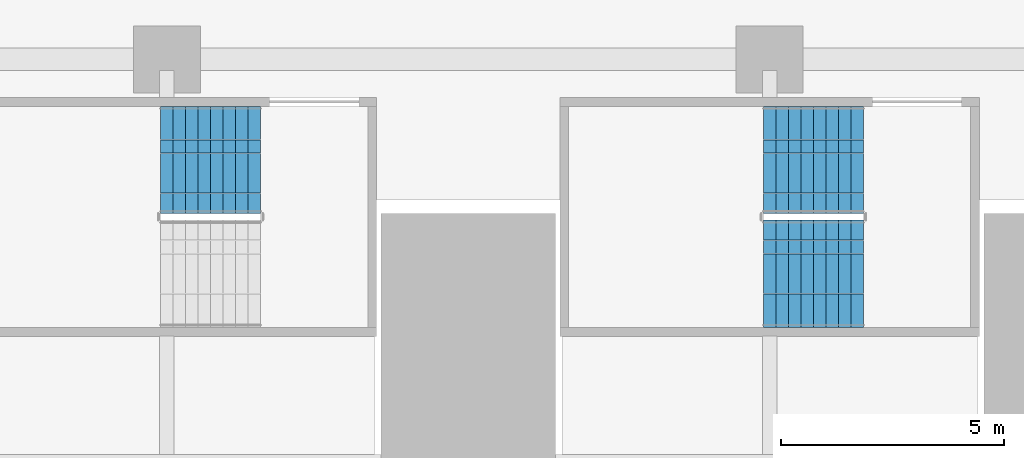
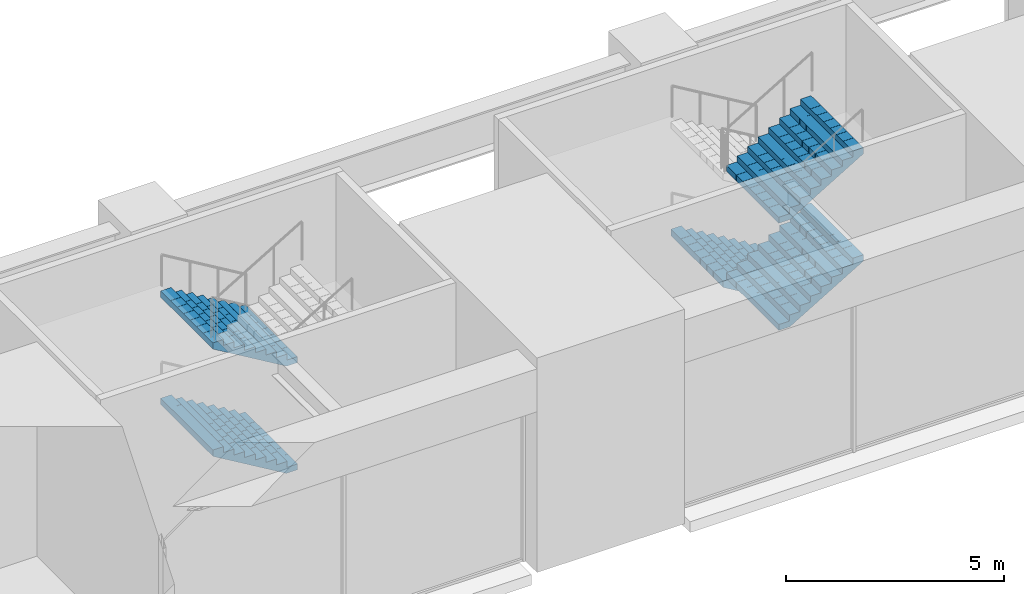
# One storey, part 21 of 41: 5 stair flights, 2 elements without a shape of their own.
"""IFC4 building model written with IfcOpenShell, lengths in metres."""

from ifc_helpers import new_model, si_unit, direction, frame, origin, place, context, subcontext, project, spatial, polyline, outline, extrude, material, type_object, element, aggregate, save


model = new_model("IFC4")

# Units and contexts
model_context = context("Model", 3, precision=1e-05, world=origin(), true_north=direction((0.0, 1.0)))
body_context = subcontext(model_context, "Body", "Model", "MODEL_VIEW")
ifc_project = project(units=[si_unit("LENGTHUNIT", "METRE"), si_unit("AREAUNIT", "SQUARE_METRE"), si_unit("VOLUMEUNIT", "CUBIC_METRE"), si_unit("PLANEANGLEUNIT", "RADIAN"), si_unit("MASSUNIT", "GRAM", prefix="KILO")], contexts=[model_context])

# Site, building, storey
site_placement = place(None, origin())
site = spatial("IfcSite", under=ifc_project, at=site_placement, CompositionType="ELEMENT")
building_placement = place(site_placement, origin())
building = spatial("IfcBuilding", under=site, at=building_placement, Name="Corbelhall Arena Tower", CompositionType="ELEMENT")
storey_placement = place(building_placement, frame((0.0, 0.0, 19.0)))
storey = spatial("IfcBuildingStorey", under=building, at=storey_placement, Name="L02", CompositionType="ELEMENT", Elevation=19.0)

# Stair, stair flights
ifc_material = material(Name="Reinforced concrete C40/50", Category="concrete")
stair_type = type_object("IfcStairType", Name="AR-EXIT-STAIR", PredefinedType="HALF_TURN_STAIR", material=ifc_material)
stair_1_placement = place(storey_placement, origin())
stair_1 = element("IfcStair", 1, at=stair_1_placement, inside=storey, type_object=stair_type, Name="L02 exit stair AS13", PredefinedType="HALF_TURN_STAIR")
stair_flight_type = type_object("IfcStairFlightType", Name="AR-EXIT-FLIGHT", PredefinedType="STRAIGHT", material=ifc_material)
stair_flight_1_placement = place(storey_placement, frame((-18.14990234375, -31.5, 0.0), z_axis=(0.0, 0.0, 1.0), x_axis=(-1.0, 0.0, 0.0)))
stair_flight_1 = element("IfcStairFlight", 2, at=stair_flight_1_placement, type_object=stair_flight_type, Name="AS13 flight 1", NumberOfRisers=9, NumberOfTreads=8, PredefinedType="STRAIGHT", RiserHeight=0.166666667, TreadLength=0.28, context=body_context, shape_type="SweptSolid", body=[
    extrude(outline(polyline([(0.0, 0.0), (0.0, 0.166748046875), (0.280029296875, 0.166748046875), (0.280029296875, 0.333251953125), (0.56005859375, 0.333251953125), (0.56005859375, 0.5), (0.840087890625, 0.5), (0.840087890625, 0.666748046875), (1.1201171875, 0.666748046875), (1.1201171875, 0.833251953125), (1.39990234375, 0.833251953125), (1.39990234375, 1.0), (1.679931640625, 1.0), (1.679931640625, 1.166748046875), (1.9599609375, 1.166748046875), (1.9599609375, 1.333251953125), (2.239990234375, 1.333251953125), (2.239990234375, 1.5), (2.239990234375, 1.158935546875), (0.29296875, 0.0), (0.0, 0.0)])), frame((0.0, 1.199951171875, 0.0), z_axis=(0.0, -1.0, 0.0), x_axis=(1.0, 0.0, 0.0)), (0.0, 0.0, 1.0), 0.449951171875),
    extrude(outline(polyline([(0.0, 0.0), (0.0, 0.166748046875), (0.280029296875, 0.166748046875), (0.280029296875, 0.333251953125), (0.56005859375, 0.333251953125), (0.56005859375, 0.5), (0.840087890625, 0.5), (0.840087890625, 0.666748046875), (1.1201171875, 0.666748046875), (1.1201171875, 0.833251953125), (1.39990234375, 0.833251953125), (1.39990234375, 1.0), (1.679931640625, 1.0), (1.679931640625, 1.166748046875), (1.9599609375, 1.166748046875), (1.9599609375, 1.333251953125), (2.239990234375, 1.333251953125), (2.239990234375, 1.5), (2.239990234375, 1.158935546875), (0.29296875, 0.0), (0.0, 0.0)])), frame((0.0, 0.745849609375, 0.0), z_axis=(0.0, -1.0, 0.0), x_axis=(1.0, 0.0, 0.0)), (0.0, 0.0, 1.0), 0.295166015625),
    extrude(outline(polyline([(0.0, 0.0), (0.0, 0.166748046875), (0.280029296875, 0.166748046875), (0.280029296875, 0.333251953125), (0.56005859375, 0.333251953125), (0.56005859375, 0.5), (0.840087890625, 0.5), (0.840087890625, 0.666748046875), (1.1201171875, 0.666748046875), (1.1201171875, 0.833251953125), (1.39990234375, 0.833251953125), (1.39990234375, 1.0), (1.679931640625, 1.0), (1.679931640625, 1.166748046875), (1.9599609375, 1.166748046875), (1.9599609375, 1.333251953125), (2.239990234375, 1.333251953125), (2.239990234375, 1.5), (2.239990234375, 1.158935546875), (0.29296875, 0.0), (0.0, 0.0)])), frame((0.0, 0.44677734375, 0.0), z_axis=(0.0, -1.0, 0.0), x_axis=(1.0, 0.0, 0.0)), (0.0, 0.0, 1.0), 0.295166015625),
    extrude(outline(polyline([(0.0, 0.0), (0.0, 0.166748046875), (0.280029296875, 0.166748046875), (0.280029296875, 0.333251953125), (0.56005859375, 0.333251953125), (0.56005859375, 0.5), (0.840087890625, 0.5), (0.840087890625, 0.666748046875), (1.1201171875, 0.666748046875), (1.1201171875, 0.833251953125), (1.39990234375, 0.833251953125), (1.39990234375, 1.0), (1.679931640625, 1.0), (1.679931640625, 1.166748046875), (1.9599609375, 1.166748046875), (1.9599609375, 1.333251953125), (2.239990234375, 1.333251953125), (2.239990234375, 1.5), (2.239990234375, 1.158935546875), (0.29296875, 0.0), (0.0, 0.0)])), frame((0.0, 0.147705078125, 0.0), z_axis=(0.0, -1.0, 0.0), x_axis=(1.0, 0.0, 0.0)), (0.0, 0.0, 1.0), 0.295166015625),
    extrude(outline(polyline([(0.0, 0.0), (0.0, 0.166748046875), (0.280029296875, 0.166748046875), (0.280029296875, 0.333251953125), (0.56005859375, 0.333251953125), (0.56005859375, 0.5), (0.840087890625, 0.5), (0.840087890625, 0.666748046875), (1.1201171875, 0.666748046875), (1.1201171875, 0.833251953125), (1.39990234375, 0.833251953125), (1.39990234375, 1.0), (1.679931640625, 1.0), (1.679931640625, 1.166748046875), (1.9599609375, 1.166748046875), (1.9599609375, 1.333251953125), (2.239990234375, 1.333251953125), (2.239990234375, 1.5), (2.239990234375, 1.158935546875), (0.29296875, 0.0), (0.0, 0.0)])), frame((0.0, -0.151611328125, 0.0), z_axis=(0.0, -1.0, 0.0), x_axis=(1.0, 0.0, 0.0)), (0.0, 0.0, 1.0), 0.295166015625),
    extrude(outline(polyline([(0.0, 0.0), (0.0, 0.166748046875), (0.280029296875, 0.166748046875), (0.280029296875, 0.333251953125), (0.56005859375, 0.333251953125), (0.56005859375, 0.5), (0.840087890625, 0.5), (0.840087890625, 0.666748046875), (1.1201171875, 0.666748046875), (1.1201171875, 0.833251953125), (1.39990234375, 0.833251953125), (1.39990234375, 1.0), (1.679931640625, 1.0), (1.679931640625, 1.166748046875), (1.9599609375, 1.166748046875), (1.9599609375, 1.333251953125), (2.239990234375, 1.333251953125), (2.239990234375, 1.5), (2.239990234375, 1.158935546875), (0.29296875, 0.0), (0.0, 0.0)])), frame((0.0, -0.45068359375, 0.0), z_axis=(0.0, -1.0, 0.0), x_axis=(1.0, 0.0, 0.0)), (0.0, 0.0, 1.0), 0.295166015625),
    extrude(outline(polyline([(0.0, 0.0), (0.0, 0.166748046875), (0.280029296875, 0.166748046875), (0.280029296875, 0.333251953125), (0.56005859375, 0.333251953125), (0.56005859375, 0.5), (0.840087890625, 0.5), (0.840087890625, 0.666748046875), (1.1201171875, 0.666748046875), (1.1201171875, 0.833251953125), (1.39990234375, 0.833251953125), (1.39990234375, 1.0), (1.679931640625, 1.0), (1.679931640625, 1.166748046875), (1.9599609375, 1.166748046875), (1.9599609375, 1.333251953125), (2.239990234375, 1.333251953125), (2.239990234375, 1.5), (2.239990234375, 1.158935546875), (0.29296875, 0.0), (0.0, 0.0)])), frame((0.0, -0.75, 0.0), z_axis=(0.0, -1.0, 0.0), x_axis=(1.0, 0.0, 0.0)), (0.0, 0.0, 1.0), 0.449951171875),
])
stair_flight_2_placement = place(storey_placement, frame((-18.14990234375, -31.5, 3.0), z_axis=(0.0, 0.0, 1.0), x_axis=(-1.0, 0.0, 0.0)))
stair_flight_2 = element("IfcStairFlight", 3, at=stair_flight_2_placement, type_object=stair_flight_type, Name="AS13 flight 3", NumberOfRisers=9, NumberOfTreads=8, PredefinedType="STRAIGHT", RiserHeight=0.166666667, TreadLength=0.28, context=body_context, shape_type="SweptSolid", body=[
    extrude(outline(polyline([(0.0, 0.0), (0.0, 0.166748046875), (0.280029296875, 0.166748046875), (0.280029296875, 0.333251953125), (0.56005859375, 0.333251953125), (0.56005859375, 0.5), (0.840087890625, 0.5), (0.840087890625, 0.666748046875), (1.1201171875, 0.666748046875), (1.1201171875, 0.833251953125), (1.39990234375, 0.833251953125), (1.39990234375, 1.0), (1.679931640625, 1.0), (1.679931640625, 1.166748046875), (1.9599609375, 1.166748046875), (1.9599609375, 1.333251953125), (2.239990234375, 1.333251953125), (2.239990234375, 1.5), (2.239990234375, 1.158935546875), (0.29296875, 0.0), (0.0, 0.0)])), frame((0.0, 1.199951171875, 0.0), z_axis=(0.0, -1.0, 0.0), x_axis=(1.0, 0.0, 0.0)), (0.0, 0.0, 1.0), 0.449951171875),
    extrude(outline(polyline([(0.0, 0.0), (0.0, 0.166748046875), (0.280029296875, 0.166748046875), (0.280029296875, 0.333251953125), (0.56005859375, 0.333251953125), (0.56005859375, 0.5), (0.840087890625, 0.5), (0.840087890625, 0.666748046875), (1.1201171875, 0.666748046875), (1.1201171875, 0.833251953125), (1.39990234375, 0.833251953125), (1.39990234375, 1.0), (1.679931640625, 1.0), (1.679931640625, 1.166748046875), (1.9599609375, 1.166748046875), (1.9599609375, 1.333251953125), (2.239990234375, 1.333251953125), (2.239990234375, 1.5), (2.239990234375, 1.158935546875), (0.29296875, 0.0), (0.0, 0.0)])), frame((0.0, 0.745849609375, 0.0), z_axis=(0.0, -1.0, 0.0), x_axis=(1.0, 0.0, 0.0)), (0.0, 0.0, 1.0), 0.295166015625),
    extrude(outline(polyline([(0.0, 0.0), (0.0, 0.166748046875), (0.280029296875, 0.166748046875), (0.280029296875, 0.333251953125), (0.56005859375, 0.333251953125), (0.56005859375, 0.5), (0.840087890625, 0.5), (0.840087890625, 0.666748046875), (1.1201171875, 0.666748046875), (1.1201171875, 0.833251953125), (1.39990234375, 0.833251953125), (1.39990234375, 1.0), (1.679931640625, 1.0), (1.679931640625, 1.166748046875), (1.9599609375, 1.166748046875), (1.9599609375, 1.333251953125), (2.239990234375, 1.333251953125), (2.239990234375, 1.5), (2.239990234375, 1.158935546875), (0.29296875, 0.0), (0.0, 0.0)])), frame((0.0, 0.44677734375, 0.0), z_axis=(0.0, -1.0, 0.0), x_axis=(1.0, 0.0, 0.0)), (0.0, 0.0, 1.0), 0.295166015625),
    extrude(outline(polyline([(0.0, 0.0), (0.0, 0.166748046875), (0.280029296875, 0.166748046875), (0.280029296875, 0.333251953125), (0.56005859375, 0.333251953125), (0.56005859375, 0.5), (0.840087890625, 0.5), (0.840087890625, 0.666748046875), (1.1201171875, 0.666748046875), (1.1201171875, 0.833251953125), (1.39990234375, 0.833251953125), (1.39990234375, 1.0), (1.679931640625, 1.0), (1.679931640625, 1.166748046875), (1.9599609375, 1.166748046875), (1.9599609375, 1.333251953125), (2.239990234375, 1.333251953125), (2.239990234375, 1.5), (2.239990234375, 1.158935546875), (0.29296875, 0.0), (0.0, 0.0)])), frame((0.0, 0.147705078125, 0.0), z_axis=(0.0, -1.0, 0.0), x_axis=(1.0, 0.0, 0.0)), (0.0, 0.0, 1.0), 0.295166015625),
    extrude(outline(polyline([(0.0, 0.0), (0.0, 0.166748046875), (0.280029296875, 0.166748046875), (0.280029296875, 0.333251953125), (0.56005859375, 0.333251953125), (0.56005859375, 0.5), (0.840087890625, 0.5), (0.840087890625, 0.666748046875), (1.1201171875, 0.666748046875), (1.1201171875, 0.833251953125), (1.39990234375, 0.833251953125), (1.39990234375, 1.0), (1.679931640625, 1.0), (1.679931640625, 1.166748046875), (1.9599609375, 1.166748046875), (1.9599609375, 1.333251953125), (2.239990234375, 1.333251953125), (2.239990234375, 1.5), (2.239990234375, 1.158935546875), (0.29296875, 0.0), (0.0, 0.0)])), frame((0.0, -0.151611328125, 0.0), z_axis=(0.0, -1.0, 0.0), x_axis=(1.0, 0.0, 0.0)), (0.0, 0.0, 1.0), 0.295166015625),
    extrude(outline(polyline([(0.0, 0.0), (0.0, 0.166748046875), (0.280029296875, 0.166748046875), (0.280029296875, 0.333251953125), (0.56005859375, 0.333251953125), (0.56005859375, 0.5), (0.840087890625, 0.5), (0.840087890625, 0.666748046875), (1.1201171875, 0.666748046875), (1.1201171875, 0.833251953125), (1.39990234375, 0.833251953125), (1.39990234375, 1.0), (1.679931640625, 1.0), (1.679931640625, 1.166748046875), (1.9599609375, 1.166748046875), (1.9599609375, 1.333251953125), (2.239990234375, 1.333251953125), (2.239990234375, 1.5), (2.239990234375, 1.158935546875), (0.29296875, 0.0), (0.0, 0.0)])), frame((0.0, -0.45068359375, 0.0), z_axis=(0.0, -1.0, 0.0), x_axis=(1.0, 0.0, 0.0)), (0.0, 0.0, 1.0), 0.295166015625),
    extrude(outline(polyline([(0.0, 0.0), (0.0, 0.166748046875), (0.280029296875, 0.166748046875), (0.280029296875, 0.333251953125), (0.56005859375, 0.333251953125), (0.56005859375, 0.5), (0.840087890625, 0.5), (0.840087890625, 0.666748046875), (1.1201171875, 0.666748046875), (1.1201171875, 0.833251953125), (1.39990234375, 0.833251953125), (1.39990234375, 1.0), (1.679931640625, 1.0), (1.679931640625, 1.166748046875), (1.9599609375, 1.166748046875), (1.9599609375, 1.333251953125), (2.239990234375, 1.333251953125), (2.239990234375, 1.5), (2.239990234375, 1.158935546875), (0.29296875, 0.0), (0.0, 0.0)])), frame((0.0, -0.75, 0.0), z_axis=(0.0, -1.0, 0.0), x_axis=(1.0, 0.0, 0.0)), (0.0, 0.0, 1.0), 0.449951171875),
])
aggregate(stair_1, [stair_flight_1, stair_flight_2])

stair_2_placement = place(storey_placement, origin())
stair_2 = element("IfcStair", 4, at=stair_2_placement, inside=storey, type_object=stair_type, Name="L02 exit stair AS14", PredefinedType="HALF_TURN_STAIR")
stair_flight_3_placement = place(storey_placement, frame((-4.64990234375, -31.5, 0.0), z_axis=(0.0, 0.0, 1.0), x_axis=(-1.0, 0.0, 0.0)))
stair_flight_3 = element("IfcStairFlight", 5, at=stair_flight_3_placement, type_object=stair_flight_type, Name="AS14 flight 1", NumberOfRisers=9, NumberOfTreads=8, PredefinedType="STRAIGHT", RiserHeight=0.166666667, TreadLength=0.28, context=body_context, shape_type="SweptSolid", body=[
    extrude(outline(polyline([(0.0, 0.0), (0.0, 0.166748046875), (0.280029296875, 0.166748046875), (0.280029296875, 0.333251953125), (0.56005859375, 0.333251953125), (0.56005859375, 0.5), (0.840087890625, 0.5), (0.840087890625, 0.666748046875), (1.1201171875, 0.666748046875), (1.1201171875, 0.833251953125), (1.39990234375, 0.833251953125), (1.39990234375, 1.0), (1.679931640625, 1.0), (1.679931640625, 1.166748046875), (1.9599609375, 1.166748046875), (1.9599609375, 1.333251953125), (2.239990234375, 1.333251953125), (2.239990234375, 1.5), (2.239990234375, 1.158935546875), (0.29296875, 0.0), (0.0, 0.0)])), frame((0.0, 1.199951171875, 0.0), z_axis=(0.0, -1.0, 0.0), x_axis=(1.0, 0.0, 0.0)), (0.0, 0.0, 1.0), 0.449951171875),
    extrude(outline(polyline([(0.0, 0.0), (0.0, 0.166748046875), (0.280029296875, 0.166748046875), (0.280029296875, 0.333251953125), (0.56005859375, 0.333251953125), (0.56005859375, 0.5), (0.840087890625, 0.5), (0.840087890625, 0.666748046875), (1.1201171875, 0.666748046875), (1.1201171875, 0.833251953125), (1.39990234375, 0.833251953125), (1.39990234375, 1.0), (1.679931640625, 1.0), (1.679931640625, 1.166748046875), (1.9599609375, 1.166748046875), (1.9599609375, 1.333251953125), (2.239990234375, 1.333251953125), (2.239990234375, 1.5), (2.239990234375, 1.158935546875), (0.29296875, 0.0), (0.0, 0.0)])), frame((0.0, 0.745849609375, 0.0), z_axis=(0.0, -1.0, 0.0), x_axis=(1.0, 0.0, 0.0)), (0.0, 0.0, 1.0), 0.295166015625),
    extrude(outline(polyline([(0.0, 0.0), (0.0, 0.166748046875), (0.280029296875, 0.166748046875), (0.280029296875, 0.333251953125), (0.56005859375, 0.333251953125), (0.56005859375, 0.5), (0.840087890625, 0.5), (0.840087890625, 0.666748046875), (1.1201171875, 0.666748046875), (1.1201171875, 0.833251953125), (1.39990234375, 0.833251953125), (1.39990234375, 1.0), (1.679931640625, 1.0), (1.679931640625, 1.166748046875), (1.9599609375, 1.166748046875), (1.9599609375, 1.333251953125), (2.239990234375, 1.333251953125), (2.239990234375, 1.5), (2.239990234375, 1.158935546875), (0.29296875, 0.0), (0.0, 0.0)])), frame((0.0, 0.44677734375, 0.0), z_axis=(0.0, -1.0, 0.0), x_axis=(1.0, 0.0, 0.0)), (0.0, 0.0, 1.0), 0.295166015625),
    extrude(outline(polyline([(0.0, 0.0), (0.0, 0.166748046875), (0.280029296875, 0.166748046875), (0.280029296875, 0.333251953125), (0.56005859375, 0.333251953125), (0.56005859375, 0.5), (0.840087890625, 0.5), (0.840087890625, 0.666748046875), (1.1201171875, 0.666748046875), (1.1201171875, 0.833251953125), (1.39990234375, 0.833251953125), (1.39990234375, 1.0), (1.679931640625, 1.0), (1.679931640625, 1.166748046875), (1.9599609375, 1.166748046875), (1.9599609375, 1.333251953125), (2.239990234375, 1.333251953125), (2.239990234375, 1.5), (2.239990234375, 1.158935546875), (0.29296875, 0.0), (0.0, 0.0)])), frame((0.0, 0.147705078125, 0.0), z_axis=(0.0, -1.0, 0.0), x_axis=(1.0, 0.0, 0.0)), (0.0, 0.0, 1.0), 0.295166015625),
    extrude(outline(polyline([(0.0, 0.0), (0.0, 0.166748046875), (0.280029296875, 0.166748046875), (0.280029296875, 0.333251953125), (0.56005859375, 0.333251953125), (0.56005859375, 0.5), (0.840087890625, 0.5), (0.840087890625, 0.666748046875), (1.1201171875, 0.666748046875), (1.1201171875, 0.833251953125), (1.39990234375, 0.833251953125), (1.39990234375, 1.0), (1.679931640625, 1.0), (1.679931640625, 1.166748046875), (1.9599609375, 1.166748046875), (1.9599609375, 1.333251953125), (2.239990234375, 1.333251953125), (2.239990234375, 1.5), (2.239990234375, 1.158935546875), (0.29296875, 0.0), (0.0, 0.0)])), frame((0.0, -0.151611328125, 0.0), z_axis=(0.0, -1.0, 0.0), x_axis=(1.0, 0.0, 0.0)), (0.0, 0.0, 1.0), 0.295166015625),
    extrude(outline(polyline([(0.0, 0.0), (0.0, 0.166748046875), (0.280029296875, 0.166748046875), (0.280029296875, 0.333251953125), (0.56005859375, 0.333251953125), (0.56005859375, 0.5), (0.840087890625, 0.5), (0.840087890625, 0.666748046875), (1.1201171875, 0.666748046875), (1.1201171875, 0.833251953125), (1.39990234375, 0.833251953125), (1.39990234375, 1.0), (1.679931640625, 1.0), (1.679931640625, 1.166748046875), (1.9599609375, 1.166748046875), (1.9599609375, 1.333251953125), (2.239990234375, 1.333251953125), (2.239990234375, 1.5), (2.239990234375, 1.158935546875), (0.29296875, 0.0), (0.0, 0.0)])), frame((0.0, -0.45068359375, 0.0), z_axis=(0.0, -1.0, 0.0), x_axis=(1.0, 0.0, 0.0)), (0.0, 0.0, 1.0), 0.295166015625),
    extrude(outline(polyline([(0.0, 0.0), (0.0, 0.166748046875), (0.280029296875, 0.166748046875), (0.280029296875, 0.333251953125), (0.56005859375, 0.333251953125), (0.56005859375, 0.5), (0.840087890625, 0.5), (0.840087890625, 0.666748046875), (1.1201171875, 0.666748046875), (1.1201171875, 0.833251953125), (1.39990234375, 0.833251953125), (1.39990234375, 1.0), (1.679931640625, 1.0), (1.679931640625, 1.166748046875), (1.9599609375, 1.166748046875), (1.9599609375, 1.333251953125), (2.239990234375, 1.333251953125), (2.239990234375, 1.5), (2.239990234375, 1.158935546875), (0.29296875, 0.0), (0.0, 0.0)])), frame((0.0, -0.75, 0.0), z_axis=(0.0, -1.0, 0.0), x_axis=(1.0, 0.0, 0.0)), (0.0, 0.0, 1.0), 0.449951171875),
])
stair_flight_4_placement = place(storey_placement, frame((-6.889892578125, -34.050048828125, 1.5), z_axis=(0.0, 0.0, 1.0), x_axis=(1.0, 0.0, 0.0)))
stair_flight_4 = element("IfcStairFlight", 6, at=stair_flight_4_placement, type_object=stair_flight_type, Name="AS14 flight 2", NumberOfRisers=9, NumberOfTreads=8, PredefinedType="STRAIGHT", RiserHeight=0.166666667, TreadLength=0.28, context=body_context, shape_type="SweptSolid", body=[
    extrude(outline(polyline([(0.0, 0.0), (0.0, 0.166748046875), (0.280029296875, 0.166748046875), (0.280029296875, 0.333251953125), (0.56005859375, 0.333251953125), (0.56005859375, 0.5), (0.840087890625, 0.5), (0.840087890625, 0.666748046875), (1.1201171875, 0.666748046875), (1.1201171875, 0.833251953125), (1.39990234375, 0.833251953125), (1.39990234375, 1.0), (1.679931640625, 1.0), (1.679931640625, 1.166748046875), (1.9599609375, 1.166748046875), (1.9599609375, 1.333251953125), (2.239990234375, 1.333251953125), (2.239990234375, 1.5), (2.239990234375, 1.158935546875), (0.29296875, 0.0), (0.0, 0.0)])), frame((0.0, 1.199951171875, 0.0), z_axis=(0.0, -1.0, 0.0), x_axis=(1.0, 0.0, 0.0)), (0.0, 0.0, 1.0), 0.449951171875),
    extrude(outline(polyline([(0.0, 0.0), (0.0, 0.166748046875), (0.280029296875, 0.166748046875), (0.280029296875, 0.333251953125), (0.56005859375, 0.333251953125), (0.56005859375, 0.5), (0.840087890625, 0.5), (0.840087890625, 0.666748046875), (1.1201171875, 0.666748046875), (1.1201171875, 0.833251953125), (1.39990234375, 0.833251953125), (1.39990234375, 1.0), (1.679931640625, 1.0), (1.679931640625, 1.166748046875), (1.9599609375, 1.166748046875), (1.9599609375, 1.333251953125), (2.239990234375, 1.333251953125), (2.239990234375, 1.5), (2.239990234375, 1.158935546875), (0.29296875, 0.0), (0.0, 0.0)])), frame((0.0, 0.745849609375, 0.0), z_axis=(0.0, -1.0, 0.0), x_axis=(1.0, 0.0, 0.0)), (0.0, 0.0, 1.0), 0.295166015625),
    extrude(outline(polyline([(0.0, 0.0), (0.0, 0.166748046875), (0.280029296875, 0.166748046875), (0.280029296875, 0.333251953125), (0.56005859375, 0.333251953125), (0.56005859375, 0.5), (0.840087890625, 0.5), (0.840087890625, 0.666748046875), (1.1201171875, 0.666748046875), (1.1201171875, 0.833251953125), (1.39990234375, 0.833251953125), (1.39990234375, 1.0), (1.679931640625, 1.0), (1.679931640625, 1.166748046875), (1.9599609375, 1.166748046875), (1.9599609375, 1.333251953125), (2.239990234375, 1.333251953125), (2.239990234375, 1.5), (2.239990234375, 1.158935546875), (0.29296875, 0.0), (0.0, 0.0)])), frame((0.0, 0.44677734375, 0.0), z_axis=(0.0, -1.0, 0.0), x_axis=(1.0, 0.0, 0.0)), (0.0, 0.0, 1.0), 0.295166015625),
    extrude(outline(polyline([(0.0, 0.0), (0.0, 0.166748046875), (0.280029296875, 0.166748046875), (0.280029296875, 0.333251953125), (0.56005859375, 0.333251953125), (0.56005859375, 0.5), (0.840087890625, 0.5), (0.840087890625, 0.666748046875), (1.1201171875, 0.666748046875), (1.1201171875, 0.833251953125), (1.39990234375, 0.833251953125), (1.39990234375, 1.0), (1.679931640625, 1.0), (1.679931640625, 1.166748046875), (1.9599609375, 1.166748046875), (1.9599609375, 1.333251953125), (2.239990234375, 1.333251953125), (2.239990234375, 1.5), (2.239990234375, 1.158935546875), (0.29296875, 0.0), (0.0, 0.0)])), frame((0.0, 0.147705078125, 0.0), z_axis=(0.0, -1.0, 0.0), x_axis=(1.0, 0.0, 0.0)), (0.0, 0.0, 1.0), 0.295166015625),
    extrude(outline(polyline([(0.0, 0.0), (0.0, 0.166748046875), (0.280029296875, 0.166748046875), (0.280029296875, 0.333251953125), (0.56005859375, 0.333251953125), (0.56005859375, 0.5), (0.840087890625, 0.5), (0.840087890625, 0.666748046875), (1.1201171875, 0.666748046875), (1.1201171875, 0.833251953125), (1.39990234375, 0.833251953125), (1.39990234375, 1.0), (1.679931640625, 1.0), (1.679931640625, 1.166748046875), (1.9599609375, 1.166748046875), (1.9599609375, 1.333251953125), (2.239990234375, 1.333251953125), (2.239990234375, 1.5), (2.239990234375, 1.158935546875), (0.29296875, 0.0), (0.0, 0.0)])), frame((0.0, -0.151611328125, 0.0), z_axis=(0.0, -1.0, 0.0), x_axis=(1.0, 0.0, 0.0)), (0.0, 0.0, 1.0), 0.295166015625),
    extrude(outline(polyline([(0.0, 0.0), (0.0, 0.166748046875), (0.280029296875, 0.166748046875), (0.280029296875, 0.333251953125), (0.56005859375, 0.333251953125), (0.56005859375, 0.5), (0.840087890625, 0.5), (0.840087890625, 0.666748046875), (1.1201171875, 0.666748046875), (1.1201171875, 0.833251953125), (1.39990234375, 0.833251953125), (1.39990234375, 1.0), (1.679931640625, 1.0), (1.679931640625, 1.166748046875), (1.9599609375, 1.166748046875), (1.9599609375, 1.333251953125), (2.239990234375, 1.333251953125), (2.239990234375, 1.5), (2.239990234375, 1.158935546875), (0.29296875, 0.0), (0.0, 0.0)])), frame((0.0, -0.45068359375, 0.0), z_axis=(0.0, -1.0, 0.0), x_axis=(1.0, 0.0, 0.0)), (0.0, 0.0, 1.0), 0.295166015625),
    extrude(outline(polyline([(0.0, 0.0), (0.0, 0.166748046875), (0.280029296875, 0.166748046875), (0.280029296875, 0.333251953125), (0.56005859375, 0.333251953125), (0.56005859375, 0.5), (0.840087890625, 0.5), (0.840087890625, 0.666748046875), (1.1201171875, 0.666748046875), (1.1201171875, 0.833251953125), (1.39990234375, 0.833251953125), (1.39990234375, 1.0), (1.679931640625, 1.0), (1.679931640625, 1.166748046875), (1.9599609375, 1.166748046875), (1.9599609375, 1.333251953125), (2.239990234375, 1.333251953125), (2.239990234375, 1.5), (2.239990234375, 1.158935546875), (0.29296875, 0.0), (0.0, 0.0)])), frame((0.0, -0.75, 0.0), z_axis=(0.0, -1.0, 0.0), x_axis=(1.0, 0.0, 0.0)), (0.0, 0.0, 1.0), 0.449951171875),
])
stair_flight_5_placement = place(storey_placement, frame((-6.889892578125, -34.050048828125, 4.5), z_axis=(0.0, 0.0, 1.0), x_axis=(1.0, 0.0, 0.0)))
stair_flight_5 = element("IfcStairFlight", 7, at=stair_flight_5_placement, type_object=stair_flight_type, Name="AS14 flight 4", NumberOfRisers=9, NumberOfTreads=8, PredefinedType="STRAIGHT", RiserHeight=0.166666667, TreadLength=0.28, context=body_context, shape_type="SweptSolid", body=[
    extrude(outline(polyline([(0.0, 0.0), (0.0, 0.166748046875), (0.280029296875, 0.166748046875), (0.280029296875, 0.333251953125), (0.56005859375, 0.333251953125), (0.56005859375, 0.5), (0.840087890625, 0.5), (0.840087890625, 0.666748046875), (1.1201171875, 0.666748046875), (1.1201171875, 0.833251953125), (1.39990234375, 0.833251953125), (1.39990234375, 1.0), (1.679931640625, 1.0), (1.679931640625, 1.166748046875), (1.9599609375, 1.166748046875), (1.9599609375, 1.333251953125), (2.239990234375, 1.333251953125), (2.239990234375, 1.5), (2.239990234375, 1.158935546875), (0.29296875, 0.0), (0.0, 0.0)])), frame((0.0, 1.199951171875, 0.0), z_axis=(0.0, -1.0, 0.0), x_axis=(1.0, 0.0, 0.0)), (0.0, 0.0, 1.0), 0.449951171875),
    extrude(outline(polyline([(0.0, 0.0), (0.0, 0.166748046875), (0.280029296875, 0.166748046875), (0.280029296875, 0.333251953125), (0.56005859375, 0.333251953125), (0.56005859375, 0.5), (0.840087890625, 0.5), (0.840087890625, 0.666748046875), (1.1201171875, 0.666748046875), (1.1201171875, 0.833251953125), (1.39990234375, 0.833251953125), (1.39990234375, 1.0), (1.679931640625, 1.0), (1.679931640625, 1.166748046875), (1.9599609375, 1.166748046875), (1.9599609375, 1.333251953125), (2.239990234375, 1.333251953125), (2.239990234375, 1.5), (2.239990234375, 1.158935546875), (0.29296875, 0.0), (0.0, 0.0)])), frame((0.0, 0.745849609375, 0.0), z_axis=(0.0, -1.0, 0.0), x_axis=(1.0, 0.0, 0.0)), (0.0, 0.0, 1.0), 0.295166015625),
    extrude(outline(polyline([(0.0, 0.0), (0.0, 0.166748046875), (0.280029296875, 0.166748046875), (0.280029296875, 0.333251953125), (0.56005859375, 0.333251953125), (0.56005859375, 0.5), (0.840087890625, 0.5), (0.840087890625, 0.666748046875), (1.1201171875, 0.666748046875), (1.1201171875, 0.833251953125), (1.39990234375, 0.833251953125), (1.39990234375, 1.0), (1.679931640625, 1.0), (1.679931640625, 1.166748046875), (1.9599609375, 1.166748046875), (1.9599609375, 1.333251953125), (2.239990234375, 1.333251953125), (2.239990234375, 1.5), (2.239990234375, 1.158935546875), (0.29296875, 0.0), (0.0, 0.0)])), frame((0.0, 0.44677734375, 0.0), z_axis=(0.0, -1.0, 0.0), x_axis=(1.0, 0.0, 0.0)), (0.0, 0.0, 1.0), 0.295166015625),
    extrude(outline(polyline([(0.0, 0.0), (0.0, 0.166748046875), (0.280029296875, 0.166748046875), (0.280029296875, 0.333251953125), (0.56005859375, 0.333251953125), (0.56005859375, 0.5), (0.840087890625, 0.5), (0.840087890625, 0.666748046875), (1.1201171875, 0.666748046875), (1.1201171875, 0.833251953125), (1.39990234375, 0.833251953125), (1.39990234375, 1.0), (1.679931640625, 1.0), (1.679931640625, 1.166748046875), (1.9599609375, 1.166748046875), (1.9599609375, 1.333251953125), (2.239990234375, 1.333251953125), (2.239990234375, 1.5), (2.239990234375, 1.158935546875), (0.29296875, 0.0), (0.0, 0.0)])), frame((0.0, 0.147705078125, 0.0), z_axis=(0.0, -1.0, 0.0), x_axis=(1.0, 0.0, 0.0)), (0.0, 0.0, 1.0), 0.295166015625),
    extrude(outline(polyline([(0.0, 0.0), (0.0, 0.166748046875), (0.280029296875, 0.166748046875), (0.280029296875, 0.333251953125), (0.56005859375, 0.333251953125), (0.56005859375, 0.5), (0.840087890625, 0.5), (0.840087890625, 0.666748046875), (1.1201171875, 0.666748046875), (1.1201171875, 0.833251953125), (1.39990234375, 0.833251953125), (1.39990234375, 1.0), (1.679931640625, 1.0), (1.679931640625, 1.166748046875), (1.9599609375, 1.166748046875), (1.9599609375, 1.333251953125), (2.239990234375, 1.333251953125), (2.239990234375, 1.5), (2.239990234375, 1.158935546875), (0.29296875, 0.0), (0.0, 0.0)])), frame((0.0, -0.151611328125, 0.0), z_axis=(0.0, -1.0, 0.0), x_axis=(1.0, 0.0, 0.0)), (0.0, 0.0, 1.0), 0.295166015625),
    extrude(outline(polyline([(0.0, 0.0), (0.0, 0.166748046875), (0.280029296875, 0.166748046875), (0.280029296875, 0.333251953125), (0.56005859375, 0.333251953125), (0.56005859375, 0.5), (0.840087890625, 0.5), (0.840087890625, 0.666748046875), (1.1201171875, 0.666748046875), (1.1201171875, 0.833251953125), (1.39990234375, 0.833251953125), (1.39990234375, 1.0), (1.679931640625, 1.0), (1.679931640625, 1.166748046875), (1.9599609375, 1.166748046875), (1.9599609375, 1.333251953125), (2.239990234375, 1.333251953125), (2.239990234375, 1.5), (2.239990234375, 1.158935546875), (0.29296875, 0.0), (0.0, 0.0)])), frame((0.0, -0.45068359375, 0.0), z_axis=(0.0, -1.0, 0.0), x_axis=(1.0, 0.0, 0.0)), (0.0, 0.0, 1.0), 0.295166015625),
    extrude(outline(polyline([(0.0, 0.0), (0.0, 0.166748046875), (0.280029296875, 0.166748046875), (0.280029296875, 0.333251953125), (0.56005859375, 0.333251953125), (0.56005859375, 0.5), (0.840087890625, 0.5), (0.840087890625, 0.666748046875), (1.1201171875, 0.666748046875), (1.1201171875, 0.833251953125), (1.39990234375, 0.833251953125), (1.39990234375, 1.0), (1.679931640625, 1.0), (1.679931640625, 1.166748046875), (1.9599609375, 1.166748046875), (1.9599609375, 1.333251953125), (2.239990234375, 1.333251953125), (2.239990234375, 1.5), (2.239990234375, 1.158935546875), (0.29296875, 0.0), (0.0, 0.0)])), frame((0.0, -0.75, 0.0), z_axis=(0.0, -1.0, 0.0), x_axis=(1.0, 0.0, 0.0)), (0.0, 0.0, 1.0), 0.449951171875),
])
aggregate(stair_2, [stair_flight_3, stair_flight_4, stair_flight_5])

save(model, "model.ifc")
